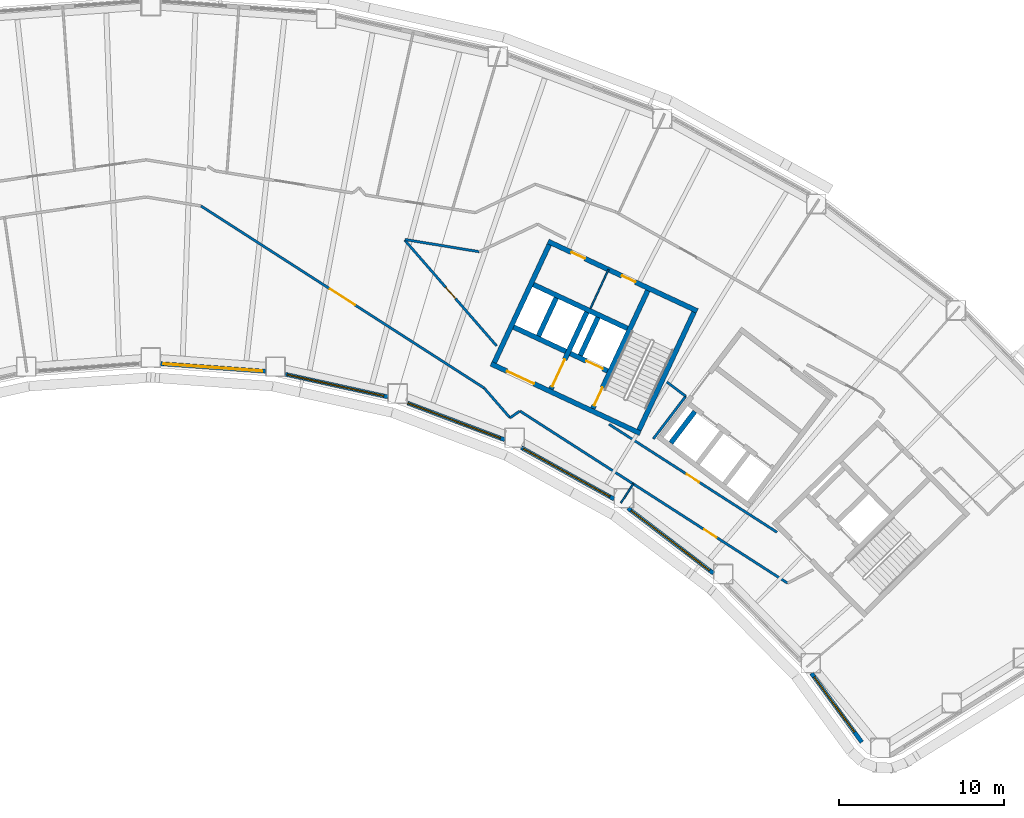
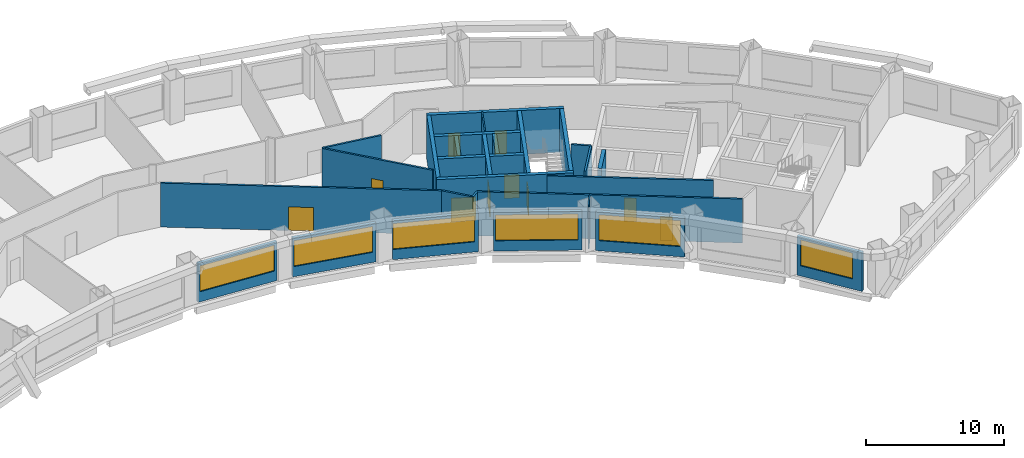
# One storey, part 6 of 15: 29 walls, 10 doors, 6 windows, 16 openings.
"""IFC4 building model written with IfcOpenShell, lengths in metres."""

from ifc_helpers import new_model, si_unit, direction, frame, frame_2d, origin, place, context, subcontext, project, spatial, rectangle, extrude, material, layer, layer_set, type_object, element, fill, save


model = new_model("IFC4")

# Units and contexts
model_context = context("Model", 3, precision=1e-05, world=origin(), true_north=direction((0.0, 1.0)))
body_context = subcontext(model_context, "Body", "Model", "MODEL_VIEW")
ifc_project = project(units=[si_unit("LENGTHUNIT", "METRE"), si_unit("AREAUNIT", "SQUARE_METRE"), si_unit("VOLUMEUNIT", "CUBIC_METRE"), si_unit("PLANEANGLEUNIT", "RADIAN"), si_unit("MASSUNIT", "GRAM", prefix="KILO")], contexts=[model_context])

# Site, building, storey
site_placement = place(None, origin())
site = spatial("IfcSite", under=ifc_project, at=site_placement, CompositionType="ELEMENT")
building_placement = place(site_placement, origin())
building = spatial("IfcBuilding", under=site, at=building_placement, Name="Tuul Gate Civic Tower", CompositionType="ELEMENT")
storey_placement = place(building_placement, frame((0.0, 0.0, 78.0)))
storey = spatial("IfcBuildingStorey", under=building, at=storey_placement, Name="Level 17", CompositionType="ELEMENT", Elevation=78.0)

# Wall, opening, door
ifc_material_1 = material(Name="Concrete C50/60", Category="concrete")
ifc_layer_1 = layer(ifc_material_1, 0.300048828125)
ifc_layer_set_1 = layer_set([ifc_layer_1], Name="Concrete C50/60")
wall_type_1 = type_object("IfcWallType", Name="Core wall C50/60", PredefinedType="SHEAR", material=ifc_layer_set_1)
wall_1_placement = place(storey_placement, frame((34.5283203125, -7.25, 0.0), z_axis=(0.0, 0.0, 1.0), x_axis=(-0.906310338845, 0.422612789327, 0.0)))
wall_1 = element("IfcWall", 1, at=wall_1_placement, inside=storey, type_object=wall_type_1, Name="Core wall", PredefinedType="SHEAR", context=body_context, shape_type="SweptSolid", body=[
    extrude(rectangle(XDim=9.999755859375, YDim=0.300048828125, at=frame_2d((5.0, 0.0))), origin(), (0.0, 0.0, 1.0), 3.89990234375),
])
opening_1_placement = place(wall_1_placement, frame((7.125, 0.0, 0.0)))
opening_1 = element("IfcOpeningElement", 2, at=opening_1_placement, cuts=wall_1, Name="Opening LB-E3-LOBBY-1", PredefinedType="OPENING", context=body_context, shape_type="SweptSolid", body=[
    extrude(rectangle(XDim=1.800048828125, YDim=2.10009765625, at=frame_2d((0.89990234375, 1.050048828125))), frame((0.0, 0.16015625, 0.0), z_axis=(0.0, -1.0, 0.0), x_axis=(1.0, 0.0, 0.0)), (0.0, 0.0, 1.0), 0.320068359375),
])
ifc_material_2 = material(Name="Steel", Category="steel")
door_type_1 = type_object("IfcDoorType", Name="Lobby door", OperationType="DOUBLE_DOOR_SINGLE_SWING", PredefinedType="DOOR", material=ifc_material_2)
door_1_placement = place(opening_1_placement, frame((1.800048828125, 0.0, 0.0), z_axis=(0.0, 0.0, 1.0), x_axis=(-1.0, 0.0, 0.0)))
door_1 = element("IfcDoor", 3, at=door_1_placement, inside=storey, type_object=door_type_1, Name="Lobby door E3-LOBBY", OperationType="DOUBLE_DOOR_SINGLE_SWING", OverallHeight=2.10009765625, OverallWidth=1.800048828125, PredefinedType="DOOR", context=body_context, shape_type="SweptSolid", body=[
    extrude(rectangle(XDim=1.800048828125, YDim=2.10009765625, at=frame_2d((0.900146484375, 1.050048828125))), frame((0.0, 0.02490234375, 0.0), z_axis=(0.0, -1.0, 0.0), x_axis=(1.0, 0.0, 0.0)), (0.0, 0.0, 1.0), 0.050048828125),
])
fill(opening_1, door_1)

wall_2_placement = place(storey_placement, frame((32.545654296875, -3.456787109375, 0.0), z_axis=(0.0, 0.0, 1.0), x_axis=(-0.906300357825, 0.42263419337, 0.0)))
wall_2 = element("IfcWall", 4, at=wall_2_placement, inside=storey, type_object=wall_type_1, Name="Core wall", PredefinedType="SHEAR", context=body_context, shape_type="SweptSolid", body=[
    extrude(rectangle(XDim=2.500244140625, YDim=0.300048828125, at=frame_2d((1.25, 0.0))), origin(), (0.0, 0.0, 1.0), 3.89990234375),
])
opening_2_placement = place(wall_2_placement, frame((0.324951171875, 0.0, 0.0)))
opening_2 = element("IfcOpeningElement", 5, at=opening_2_placement, cuts=wall_2, Name="Opening LD-FF-2", PredefinedType="OPENING", context=body_context, shape_type="SweptSolid", body=[
    extrude(rectangle(XDim=1.10009765625, YDim=2.10009765625, at=frame_2d((0.550048828125, 1.050048828125))), frame((0.0, 0.16015625, 0.0), z_axis=(0.0, -1.0, 0.0), x_axis=(1.0, 0.0, 0.0)), (0.0, 0.0, 1.0), 0.320068359375),
])
ifc_material_3 = material(Name="Stainless steel", Category="steel")
door_type_2 = type_object("IfcDoorType", Name="Landing door", OperationType="DOUBLE_DOOR_SLIDING", PredefinedType="DOOR", material=ifc_material_3)
door_2_placement = place(opening_2_placement, origin())
door_2 = element("IfcDoor", 6, at=door_2_placement, inside=storey, type_object=door_type_2, Name="Fire-fighting lift FF-2 landing door", OperationType="DOUBLE_DOOR_SLIDING", OverallHeight=2.10009765625, OverallWidth=1.10009765625, PredefinedType="DOOR", context=body_context, shape_type="SweptSolid", body=[
    extrude(rectangle(XDim=1.10009765625, YDim=2.10009765625, at=frame_2d((0.550048828125, 1.050048828125))), frame((0.0, 0.02490234375, 0.0), z_axis=(0.0, -1.0, 0.0), x_axis=(1.0, 0.0, 0.0)), (0.0, 0.0, 1.0), 0.050048828125),
])
fill(opening_2, door_2)

# Walls
wall_3_placement = place(storey_placement, frame((30.0078125, -2.2734375, 0.0), z_axis=(0.0, 0.0, 1.0), x_axis=(-0.90630071767, 0.422633421716, 0.0)))
element("IfcWall", 7, at=wall_3_placement, inside=storey, type_object=wall_type_1, Name="Core wall", PredefinedType="SHEAR", context=body_context, shape_type="SweptSolid", body=[
    extrude(rectangle(XDim=3.5, YDim=0.300048828125, at=frame_2d((1.75, 0.0))), origin(), (0.0, 0.0, 1.0), 3.89990234375),
])
wall_4_placement = place(storey_placement, frame((33.75, -0.873779296875, 0.0), z_axis=(0.0, 0.0, 1.0), x_axis=(-0.906300917592, 0.422632992999, 0.0)))
element("IfcWall", 8, at=wall_4_placement, inside=storey, type_object=wall_type_1, Name="Core wall", PredefinedType="SHEAR", context=body_context, shape_type="SweptSolid", body=[
    extrude(rectangle(XDim=6.300048828125, YDim=0.300048828125, at=frame_2d((3.14990234375, 0.0))), origin(), (0.0, 0.0, 1.0), 3.89990234375),
])

# Wall, openings, doors
wall_5_placement = place(storey_placement, frame((37.993408203125, 0.181884765625, 0.0), z_axis=(0.0, 0.0, 1.0), x_axis=(-0.906310338845, 0.422612789327, 0.0)))
wall_5 = element("IfcWall", 9, at=wall_5_placement, inside=storey, type_object=wall_type_1, Name="Core wall", PredefinedType="SHEAR", context=body_context, shape_type="SweptSolid", body=[
    extrude(rectangle(XDim=9.999755859375, YDim=0.300048828125, at=frame_2d((5.0, 0.0))), origin(), (0.0, 0.0, 1.0), 3.89990234375),
])
opening_3_placement = place(wall_5_placement, frame((4.14990234375, 0.0, 0.0)))
opening_3 = element("IfcOpeningElement", 10, at=opening_3_placement, cuts=wall_5, Name="Opening E-D41", PredefinedType="OPENING", context=body_context, shape_type="SweptSolid", body=[
    extrude(rectangle(XDim=0.89990234375, YDim=2.10009765625, at=frame_2d((0.449951171875, 1.050048828125))), frame((0.0, 0.16015625, 0.0), z_axis=(0.0, -1.0, 0.0), x_axis=(1.0, 0.0, 0.0)), (0.0, 0.0, 1.0), 0.320068359375),
])
opening_4_placement = place(wall_5_placement, frame((7.52490234375, 0.0, 0.0)))
opening_4 = element("IfcOpeningElement", 11, at=opening_4_placement, cuts=wall_5, Name="Opening E-D42", PredefinedType="OPENING", context=body_context, shape_type="SweptSolid", body=[
    extrude(rectangle(XDim=0.89990234375, YDim=2.10009765625, at=frame_2d((0.449951171875, 1.050048828125))), frame((0.0, 0.16015625, 0.0), z_axis=(0.0, -1.0, 0.0), x_axis=(1.0, 0.0, 0.0)), (0.0, 0.0, 1.0), 0.320068359375),
])
ifc_material_4 = material(Name="Timber door leaf", Category="wood")
door_type_3 = type_object("IfcDoorType", Name="Door D09", OperationType="NOTDEFINED", PredefinedType="DOOR", material=ifc_material_4)
door_3_placement = place(opening_3_placement, origin())
door_3 = element("IfcDoor", 12, at=door_3_placement, inside=storey, type_object=door_type_3, Name="Door E-D41", OperationType="SINGLE_SWING_LEFT", OverallHeight=2.10009765625, OverallWidth=0.89990234375, PredefinedType="DOOR", context=body_context, shape_type="SweptSolid", body=[
    extrude(rectangle(XDim=0.89990234375, YDim=2.10009765625, at=frame_2d((0.449951171875, 1.050048828125))), frame((0.0, 0.02490234375, 0.0), z_axis=(0.0, -1.0, 0.0), x_axis=(1.0, 0.0, 0.0)), (0.0, 0.0, 1.0), 0.050048828125),
])
fill(opening_3, door_3)
door_4_placement = place(opening_4_placement, origin())
door_4 = element("IfcDoor", 13, at=door_4_placement, inside=storey, type_object=door_type_3, Name="Door E-D42", OperationType="SINGLE_SWING_RIGHT", OverallHeight=2.10009765625, OverallWidth=0.89990234375, PredefinedType="DOOR", context=body_context, shape_type="SweptSolid", body=[
    extrude(rectangle(XDim=0.89990234375, YDim=2.10009765625, at=frame_2d((0.449951171875, 1.050048828125))), frame((0.0, 0.02490234375, 0.0), z_axis=(0.0, -1.0, 0.0), x_axis=(1.0, 0.0, 0.0)), (0.0, 0.0, 1.0), 0.050048828125),
])
fill(opening_4, door_4)

# Wall
wall_6_placement = place(storey_placement, frame((34.455810546875, -7.05078125, 0.0), z_axis=(0.0, 0.0, 1.0), x_axis=(0.422570768258, 0.906329932096, 0.0)))
element("IfcWall", 14, at=wall_6_placement, inside=storey, type_object=wall_type_1, Name="Core wall", PredefinedType="SHEAR", context=body_context, shape_type="SweptSolid", body=[
    extrude(rectangle(XDim=7.900146484375, YDim=0.300048828125, at=frame_2d((3.9501953125, 0.0))), origin(), (0.0, 0.0, 1.0), 3.89990234375),
])

# Wall, opening, door
wall_7_placement = place(storey_placement, frame((31.646240234375, -5.740478515625, 0.0), z_axis=(0.0, 0.0, 1.0), x_axis=(0.422582604137, 0.906324413596, 0.0)))
wall_7 = element("IfcWall", 15, at=wall_7_placement, inside=storey, type_object=wall_type_1, Name="Core wall", PredefinedType="SHEAR", context=body_context, shape_type="SweptSolid", body=[
    extrude(rectangle(XDim=7.89990234375, YDim=0.300048828125, at=frame_2d((3.949951171875, 0.0))), origin(), (0.0, 0.0, 1.0), 3.89990234375),
])
opening_5_placement = place(wall_7_placement, frame((0.199951171875, 0.0, 0.0)))
opening_5 = element("IfcOpeningElement", 16, at=opening_5_placement, cuts=wall_7, Name="Opening SD-ST-4", PredefinedType="OPENING", context=body_context, shape_type="SweptSolid", body=[
    extrude(rectangle(XDim=1.199951171875, YDim=2.10009765625, at=frame_2d((0.60009765625, 1.050048828125))), frame((0.0, 0.16015625, 0.0), z_axis=(0.0, -1.0, 0.0), x_axis=(1.0, 0.0, 0.0)), (0.0, 0.0, 1.0), 0.320068359375),
])
ifc_material_5 = material(Name="Steel", Category="steel")
door_type_4 = type_object("IfcDoorType", Name="Stair door", OperationType="NOTDEFINED", PredefinedType="DOOR", material=ifc_material_5)
door_5_placement = place(opening_5_placement, origin())
door_5 = element("IfcDoor", 17, at=door_5_placement, inside=storey, type_object=door_type_4, Name="Stair door ST-4", OperationType="SINGLE_SWING_LEFT", OverallHeight=2.10009765625, OverallWidth=1.199951171875, PredefinedType="DOOR", context=body_context, shape_type="SweptSolid", body=[
    extrude(rectangle(XDim=1.199951171875, YDim=2.10009765625, at=frame_2d((0.60009765625, 1.050048828125))), frame((0.0, 0.02490234375, 0.0), z_axis=(0.0, -1.0, 0.0), x_axis=(1.0, 0.0, 0.0)), (0.0, 0.0, 1.0), 0.050048828125),
])
fill(opening_5, door_5)

# Wall
wall_8_placement = place(storey_placement, frame((30.886962890625, -2.517822265625, 0.0), z_axis=(0.0, 0.0, 1.0), x_axis=(0.422612891016, 0.906310291427, 0.0)))
element("IfcWall", 18, at=wall_8_placement, inside=storey, type_object=wall_type_1, Name="Core wall", PredefinedType="SHEAR", context=body_context, shape_type="SweptSolid", body=[
    extrude(rectangle(XDim=2.550048828125, YDim=0.300048828125, at=frame_2d((1.27490234375, 0.0))), origin(), (0.0, 0.0, 1.0), 3.89990234375),
])

# Wall, opening, door
wall_9_placement = place(storey_placement, frame((29.108642578125, -4.557373046875, 0.0), z_axis=(0.0, 0.0, 1.0), x_axis=(0.422566235356, 0.90633204552, 0.0)))
wall_9 = element("IfcWall", 19, at=wall_9_placement, inside=storey, type_object=wall_type_1, Name="Core wall", PredefinedType="SHEAR", context=body_context, shape_type="SweptSolid", body=[
    extrude(rectangle(XDim=5.150146484375, YDim=0.300048828125, at=frame_2d((2.5751953125, 0.0))), origin(), (0.0, 0.0, 1.0), 3.89990234375),
])
opening_6_placement = place(wall_9_placement, frame((0.175048828125, 0.0, 0.0)))
opening_6 = element("IfcOpeningElement", 20, at=opening_6_placement, cuts=wall_9, Name="Opening LB-E3-FLOBBY-1", PredefinedType="OPENING", context=body_context, shape_type="SweptSolid", body=[
    extrude(rectangle(XDim=1.800048828125, YDim=2.10009765625, at=frame_2d((0.89990234375, 1.050048828125))), frame((0.0, 0.16015625, 0.0), z_axis=(0.0, -1.0, 0.0), x_axis=(1.0, 0.0, 0.0)), (0.0, 0.0, 1.0), 0.320068359375),
])
door_6_placement = place(opening_6_placement, frame((1.800048828125, 0.0, 0.0), z_axis=(0.0, 0.0, 1.0), x_axis=(-1.0, 0.0, 0.0)))
door_6 = element("IfcDoor", 21, at=door_6_placement, inside=storey, type_object=door_type_1, Name="Lobby door E3-FLOBBY", OperationType="DOUBLE_DOOR_SINGLE_SWING", OverallHeight=2.10009765625, OverallWidth=1.800048828125, PredefinedType="DOOR", context=body_context, shape_type="SweptSolid", body=[
    extrude(rectangle(XDim=1.800048828125, YDim=2.10009765625, at=frame_2d((0.900146484375, 1.050048828125))), frame((0.0, 0.02490234375, 0.0), z_axis=(0.0, -1.0, 0.0), x_axis=(1.0, 0.0, 0.0)), (0.0, 0.0, 1.0), 0.050048828125),
])
fill(opening_6, door_6)

# Walls
wall_10_placement = place(storey_placement, frame((28.349365234375, -1.33447265625, 0.0), z_axis=(0.0, 0.0, 1.0), x_axis=(0.422612891016, 0.906310291427, 0.0)))
element("IfcWall", 22, at=wall_10_placement, inside=storey, type_object=wall_type_1, Name="Core wall", PredefinedType="SHEAR", context=body_context, shape_type="SweptSolid", body=[
    extrude(rectangle(XDim=2.550048828125, YDim=0.300048828125, at=frame_2d((1.27490234375, 0.0))), origin(), (0.0, 0.0, 1.0), 3.89990234375),
])
wall_11_placement = place(storey_placement, frame((25.66455078125, -2.951416015625, 0.0), z_axis=(0.0, 0.0, 1.0), x_axis=(0.422582604137, 0.906324413596, 0.0)))
element("IfcWall", 23, at=wall_11_placement, inside=storey, type_object=wall_type_1, Name="Core wall", PredefinedType="SHEAR", context=body_context, shape_type="SweptSolid", body=[
    extrude(rectangle(XDim=7.89990234375, YDim=0.300048828125, at=frame_2d((3.949951171875, 0.0))), origin(), (0.0, 0.0, 1.0), 3.89990234375),
])

# Wall, opening, door
ifc_material_6 = material(Name="Gypsum board partition")
ifc_layer_2 = layer(ifc_material_6, 0.14990234375)
ifc_layer_set_2 = layer_set([ifc_layer_2], Name="Gypsum board partition")
wall_type_2 = type_object("IfcWallType", Name="Corridor wall P150", PredefinedType="PARTITIONING", material=ifc_layer_set_2)
wall_12_placement = place(storey_placement, frame((20.222412109375, 4.488037109375, 0.0), z_axis=(0.0, 0.0, 1.0), x_axis=(0.655887554702, -0.754858606354, 0.0)))
wall_12 = element("IfcWall", 24, at=wall_12_placement, inside=storey, type_object=wall_type_2, Name="p021", PredefinedType="PARTITIONING", context=body_context, shape_type="SweptSolid", body=[
    extrude(rectangle(XDim=8.512939453125, YDim=0.14990234375, at=frame_2d((4.25634765625, 0.0))), origin(), (0.0, 0.0, 1.0), 3.89990234375),
])
opening_7_placement = place(wall_12_placement, frame((3.806396484375, 0.0, 0.0)))
opening_7 = element("IfcOpeningElement", 25, at=opening_7_placement, cuts=wall_12, Name="Opening E-D21", PredefinedType="OPENING", context=body_context, shape_type="SweptSolid", body=[
    extrude(rectangle(XDim=0.89990234375, YDim=2.10009765625, at=frame_2d((0.449951171875, 1.050048828125))), frame((0.0, 0.0849609375, 0.0), z_axis=(0.0, -1.0, 0.0), x_axis=(1.0, 0.0, 0.0)), (0.0, 0.0, 1.0), 0.169921875),
])
door_7_placement = place(opening_7_placement, origin())
door_7 = element("IfcDoor", 26, at=door_7_placement, inside=storey, type_object=door_type_3, Name="Door E-D21", OperationType="SINGLE_SWING_RIGHT", OverallHeight=2.10009765625, OverallWidth=0.89990234375, PredefinedType="DOOR", context=body_context, shape_type="SweptSolid", body=[
    extrude(rectangle(XDim=0.89990234375, YDim=2.10009765625, at=frame_2d((0.449951171875, 1.050048828125))), frame((0.0, 0.02490234375, 0.0), z_axis=(0.0, -1.0, 0.0), x_axis=(1.0, 0.0, 0.0)), (0.0, 0.0, 1.0), 0.050048828125),
])
fill(opening_7, door_7)

wall_13_placement = place(storey_placement, frame((32.630615234375, -6.6962890625, 0.0), z_axis=(0.0, 0.0, 1.0), x_axis=(0.84117062622, -0.540769800917, 0.0)))
wall_13 = element("IfcWall", 27, at=wall_13_placement, inside=storey, type_object=wall_type_2, Name="p025", PredefinedType="PARTITIONING", context=body_context, shape_type="SweptSolid", body=[
    extrude(rectangle(XDim=12.12744140625, YDim=0.14990234375, at=frame_2d((6.063720703125, 0.0))), origin(), (0.0, 0.0, 1.0), 3.89990234375),
])
opening_8_placement = place(wall_13_placement, frame((5.61376953125, 0.0, 0.0)))
opening_8 = element("IfcOpeningElement", 28, at=opening_8_placement, cuts=wall_13, Name="Opening E-D20", PredefinedType="OPENING", context=body_context, shape_type="SweptSolid", body=[
    extrude(rectangle(XDim=0.89990234375, YDim=2.10009765625, at=frame_2d((0.449951171875, 1.050048828125))), frame((0.0, 0.0849609375, 0.0), z_axis=(0.0, -1.0, 0.0), x_axis=(1.0, 0.0, 0.0)), (0.0, 0.0, 1.0), 0.169921875),
])
door_8_placement = place(opening_8_placement, frame((0.89990234375, 0.0, 0.0), z_axis=(0.0, 0.0, 1.0), x_axis=(-1.0, 0.0, 0.0)))
door_8 = element("IfcDoor", 29, at=door_8_placement, inside=storey, type_object=door_type_3, Name="Door E-D20", OperationType="SINGLE_SWING_LEFT", OverallHeight=2.10009765625, OverallWidth=0.89990234375, PredefinedType="DOOR", context=body_context, shape_type="SweptSolid", body=[
    extrude(rectangle(XDim=0.89990234375, YDim=2.10009765625, at=frame_2d((0.449951171875, 1.050048828125))), frame((0.0, 0.02490234375, 0.0), z_axis=(0.0, -1.0, 0.0), x_axis=(1.0, 0.0, 0.0)), (0.0, 0.0, 1.0), 0.050048828125),
])
fill(opening_8, door_8)

wall_14_placement = place(storey_placement, frame((7.852294921875, 6.55859375, 0.0), z_axis=(0.0, 0.0, 1.0), x_axis=(0.841168773291, -0.540772683149, 0.0)))
wall_14 = element("IfcWall", 30, at=wall_14_placement, inside=storey, type_object=wall_type_2, Name="p044", PredefinedType="PARTITIONING", context=body_context, shape_type="SweptSolid", body=[
    extrude(rectangle(XDim=20.440185546875, YDim=0.14990234375, at=frame_2d((10.22021484375, 0.0))), origin(), (0.0, 0.0, 1.0), 3.89990234375),
])
opening_9_placement = place(wall_14_placement, frame((9.320068359375, 0.0, 0.0)))
opening_9 = element("IfcOpeningElement", 31, at=opening_9_placement, cuts=wall_14, Name="Opening E-D16", PredefinedType="OPENING", context=body_context, shape_type="SweptSolid", body=[
    extrude(rectangle(XDim=1.800048828125, YDim=2.10009765625, at=frame_2d((0.89990234375, 1.050048828125))), frame((0.0, 0.0849609375, 0.0), z_axis=(0.0, -1.0, 0.0), x_axis=(1.0, 0.0, 0.0)), (0.0, 0.0, 1.0), 0.169921875),
])
ifc_material_7 = material(Name="Timber door leaf, double", Category="wood")
door_type_5 = type_object("IfcDoorType", Name="Door D18", OperationType="DOUBLE_DOOR_SINGLE_SWING", PredefinedType="DOOR", material=ifc_material_7)
door_9_placement = place(opening_9_placement, frame((1.800048828125, 0.0, 0.0), z_axis=(0.0, 0.0, 1.0), x_axis=(-1.0, 0.0, 0.0)))
door_9 = element("IfcDoor", 32, at=door_9_placement, inside=storey, type_object=door_type_5, Name="Door E-D16", OperationType="DOUBLE_DOOR_SINGLE_SWING", OverallHeight=2.10009765625, OverallWidth=1.800048828125, PredefinedType="DOOR", context=body_context, shape_type="SweptSolid", body=[
    extrude(rectangle(XDim=1.800048828125, YDim=2.10009765625, at=frame_2d((0.900146484375, 1.050048828125))), frame((0.0, 0.02490234375, 0.0), z_axis=(0.0, -1.0, 0.0), x_axis=(1.0, 0.0, 0.0)), (0.0, 0.0, 1.0), 0.050048828125),
])
fill(opening_9, door_9)

wall_15_placement = place(storey_placement, frame((27.230712890625, -5.899658203125, 0.0), z_axis=(0.0, 0.0, 1.0), x_axis=(0.841168620233, -0.540772921229, 0.0)))
wall_15 = element("IfcWall", 33, at=wall_15_placement, inside=storey, type_object=wall_type_2, Name="p045", PredefinedType="PARTITIONING", context=body_context, shape_type="SweptSolid", body=[
    extrude(rectangle(XDim=19.31787109375, YDim=0.14990234375, at=frame_2d((9.658935546875, 0.0))), origin(), (0.0, 0.0, 1.0), 3.89990234375),
])
opening_10_placement = place(wall_15_placement, frame((13.29638671875, 0.0, 0.0)))
opening_10 = element("IfcOpeningElement", 34, at=opening_10_placement, cuts=wall_15, Name="Opening E-D15", PredefinedType="OPENING", context=body_context, shape_type="SweptSolid", body=[
    extrude(rectangle(XDim=0.89990234375, YDim=2.10009765625, at=frame_2d((0.449951171875, 1.050048828125))), frame((0.0, 0.0849609375, 0.0), z_axis=(0.0, -1.0, 0.0), x_axis=(1.0, 0.0, 0.0)), (0.0, 0.0, 1.0), 0.169921875),
])
door_10_placement = place(opening_10_placement, frame((0.89990234375, 0.0, 0.0), z_axis=(0.0, 0.0, 1.0), x_axis=(-1.0, 0.0, 0.0)))
door_10 = element("IfcDoor", 35, at=door_10_placement, inside=storey, type_object=door_type_3, Name="Door E-D15", OperationType="SINGLE_SWING_LEFT", OverallHeight=2.10009765625, OverallWidth=0.89990234375, PredefinedType="DOOR", context=body_context, shape_type="SweptSolid", body=[
    extrude(rectangle(XDim=0.89990234375, YDim=2.10009765625, at=frame_2d((0.449951171875, 1.050048828125))), frame((0.0, 0.02490234375, 0.0), z_axis=(0.0, -1.0, 0.0), x_axis=(1.0, 0.0, 0.0)), (0.0, 0.0, 1.0), 0.050048828125),
])
fill(opening_10, door_10)

# Walls
wall_16_placement = place(storey_placement, frame((20.240966796875, 4.5224609375, 0.0), z_axis=(0.0, 0.0, 1.0), x_axis=(0.98673971017, -0.162310641588, 0.0)))
element("IfcWall", 36, at=wall_16_placement, inside=storey, type_object=wall_type_2, Name="p049", PredefinedType="PARTITIONING", context=body_context, shape_type="SweptSolid", body=[
    extrude(rectangle(XDim=4.569580078125, YDim=0.14990234375, at=frame_2d((2.28466796875, 0.0))), origin(), (0.0, 0.0, 1.0), 3.89990234375),
])
wall_17_placement = place(storey_placement, frame((25.0458984375, -4.494873046875, 0.0), z_axis=(0.0, 0.0, 1.0), x_axis=(0.656125849695, -0.754651488677, 0.0)))
element("IfcWall", 37, at=wall_17_placement, inside=storey, type_object=wall_type_2, Name="p050", PredefinedType="PARTITIONING", context=body_context, shape_type="SweptSolid", body=[
    extrude(rectangle(XDim=2.401123046875, YDim=0.14990234375, at=frame_2d((1.20068359375, 0.0))), origin(), (0.0, 0.0, 1.0), 3.89990234375),
])
wall_18_placement = place(storey_placement, frame((26.621337890625, -6.306884765625, 0.0), z_axis=(0.0, 0.0, 1.0), x_axis=(0.823443798686, 0.567397841383, 0.0)))
element("IfcWall", 38, at=wall_18_placement, inside=storey, type_object=wall_type_2, Name="p051", PredefinedType="PARTITIONING", context=body_context, shape_type="SweptSolid", body=[
    extrude(rectangle(XDim=0.715087890625, YDim=0.14990234375, at=frame_2d((0.357421875, 0.0))), origin(), (0.0, 0.0, 1.0), 3.89990234375),
])
wall_19_placement = place(storey_placement, frame((36.147705078125, -4.13330078125, 0.0), z_axis=(0.0, 0.0, 1.0), x_axis=(0.798976694108, -0.601361989382, 0.0)))
element("IfcWall", 39, at=wall_19_placement, inside=storey, type_object=wall_type_2, Name="p058", PredefinedType="PARTITIONING", context=body_context, shape_type="SweptSolid", body=[
    extrude(rectangle(XDim=1.43310546875, YDim=0.14990234375, at=frame_2d((0.716552734375, 0.0))), origin(), (0.0, 0.0, 1.0), 3.89990234375),
])
wall_20_placement = place(storey_placement, frame((35.32177734375, -7.58447265625, 0.0), z_axis=(0.0, 0.0, 1.0), x_axis=(0.605733537109, 0.795667570045, 0.0)))
element("IfcWall", 40, at=wall_20_placement, inside=storey, type_object=wall_type_2, Name="p059", PredefinedType="PARTITIONING", context=body_context, shape_type="SweptSolid", body=[
    extrude(rectangle(XDim=3.254638671875, YDim=0.14990234375, at=frame_2d((1.62744140625, 0.0))), origin(), (0.0, 0.0, 1.0), 3.89990234375),
])

# Wall, opening, window
ifc_material_8 = material(Name="Precast concrete C40/50", Category="concrete")
ifc_layer_3 = layer(ifc_material_8, 0.25)
ifc_layer_set_3 = layer_set([ifc_layer_3], Name="Precast concrete C40/50")
wall_type_3 = type_object("IfcWallType", Name="External wall", PredefinedType="STANDARD", material=ifc_layer_set_3)
wall_21_placement = place(storey_placement, frame((5.407958984375, -3.01806640625, 0.0), z_axis=(0.0, 0.0, 1.0), x_axis=(0.997382879348, -0.072300705277, 0.0)))
wall_21 = element("IfcWall", 41, at=wall_21_placement, inside=storey, type_object=wall_type_3, Name="External wall", PredefinedType="STANDARD", context=body_context, shape_type="SweptSolid", body=[
    extrude(rectangle(XDim=6.388671875, YDim=0.25, at=frame_2d((3.1943359375, 0.0))), origin(), (0.0, 0.0, 1.0), 3.449951171875),
])
opening_11_placement = place(wall_21_placement, frame((0.1708984375, 0.0, 0.89990234375)))
opening_11 = element("IfcOpeningElement", 42, at=opening_11_placement, cuts=wall_21, Name="Opening W26", PredefinedType="OPENING", context=body_context, shape_type="SweptSolid", body=[
    extrude(rectangle(XDim=6.0, YDim=2.300048828125, at=frame_2d((3.0, 1.14990234375))), frame((0.0, 0.135009765625, 0.0), z_axis=(0.0, -1.0, 0.0), x_axis=(1.0, 0.0, 0.0)), (0.0, 0.0, 1.0), 0.27001953125),
])
ifc_material_9 = material(Name="Glass", Category="glass")
window_type_1 = type_object("IfcWindowType", Name="Window W26 6000 x 2300", PartitioningType="SINGLE_PANEL", PredefinedType="WINDOW", material=ifc_material_9)
window_1_placement = place(opening_11_placement, origin())
window_1 = element("IfcWindow", 43, at=window_1_placement, inside=storey, type_object=window_type_1, Name="Window", OverallHeight=2.300048828125, OverallWidth=6.0, PartitioningType="SINGLE_PANEL", PredefinedType="WINDOW", context=body_context, shape_type="SweptSolid", body=[
    extrude(rectangle(XDim=6.0, YDim=2.300048828125, at=frame_2d((3.0, 1.14990234375))), frame((0.0, 0.030029296875, 0.0), z_axis=(0.0, -1.0, 0.0), x_axis=(1.0, 0.0, 0.0)), (0.0, 0.0, 1.0), 0.06005859375),
])
fill(opening_11, window_1)

wall_22_placement = place(storey_placement, frame((12.97998046875, -3.66259765625, 0.0), z_axis=(0.0, 0.0, 1.0), x_axis=(0.97656114485, -0.215240169041, 0.0)))
wall_22 = element("IfcWall", 44, at=wall_22_placement, inside=storey, type_object=wall_type_3, Name="External wall", PredefinedType="STANDARD", context=body_context, shape_type="SweptSolid", body=[
    extrude(rectangle(XDim=6.36328125, YDim=0.25, at=frame_2d((3.181640625, 0.0))), origin(), (0.0, 0.0, 1.0), 3.449951171875),
])
opening_12_placement = place(wall_22_placement, frame((0.10986328125, 0.0, 0.89990234375)))
opening_12 = element("IfcOpeningElement", 45, at=opening_12_placement, cuts=wall_22, Name="Opening W26", PredefinedType="OPENING", context=body_context, shape_type="SweptSolid", body=[
    extrude(rectangle(XDim=6.0, YDim=2.300048828125, at=frame_2d((3.0, 1.14990234375))), frame((0.0, 0.135009765625, 0.0), z_axis=(0.0, -1.0, 0.0), x_axis=(1.0, 0.0, 0.0)), (0.0, 0.0, 1.0), 0.27001953125),
])
window_2_placement = place(opening_12_placement, origin())
window_2 = element("IfcWindow", 46, at=window_2_placement, inside=storey, type_object=window_type_1, Name="Window", OverallHeight=2.300048828125, OverallWidth=6.0, PartitioningType="SINGLE_PANEL", PredefinedType="WINDOW", context=body_context, shape_type="SweptSolid", body=[
    extrude(rectangle(XDim=6.0, YDim=2.300048828125, at=frame_2d((3.0, 1.14990234375))), frame((0.0, 0.030029296875, 0.0), z_axis=(0.0, -1.0, 0.0), x_axis=(1.0, 0.0, 0.0)), (0.0, 0.0, 1.0), 0.06005859375),
])
fill(opening_12, window_2)

wall_23_placement = place(storey_placement, frame((20.39404296875, -5.406005859375, 0.0), z_axis=(0.0, 0.0, 1.0), x_axis=(0.935355477431, -0.353709104829, 0.0)))
wall_23 = element("IfcWall", 47, at=wall_23_placement, inside=storey, type_object=wall_type_3, Name="External wall", PredefinedType="STANDARD", context=body_context, shape_type="SweptSolid", body=[
    extrude(rectangle(XDim=6.30859375, YDim=0.25, at=frame_2d((3.154296875, 0.0))), origin(), (0.0, 0.0, 1.0), 3.449951171875),
])
opening_13_placement = place(wall_23_placement, frame((0.03125, 0.0, 0.89990234375)))
opening_13 = element("IfcOpeningElement", 48, at=opening_13_placement, cuts=wall_23, Name="Opening W26", PredefinedType="OPENING", context=body_context, shape_type="SweptSolid", body=[
    extrude(rectangle(XDim=6.0, YDim=2.300048828125, at=frame_2d((3.0, 1.14990234375))), frame((0.0, 0.135009765625, 0.0), z_axis=(0.0, -1.0, 0.0), x_axis=(1.0, 0.0, 0.0)), (0.0, 0.0, 1.0), 0.27001953125),
])
window_3_placement = place(opening_13_placement, origin())
window_3 = element("IfcWindow", 49, at=window_3_placement, inside=storey, type_object=window_type_1, Name="Window", OverallHeight=2.300048828125, OverallWidth=6.0, PartitioningType="SINGLE_PANEL", PredefinedType="WINDOW", context=body_context, shape_type="SweptSolid", body=[
    extrude(rectangle(XDim=6.0, YDim=2.300048828125, at=frame_2d((3.0, 1.14990234375))), frame((0.0, 0.030029296875, 0.0), z_axis=(0.0, -1.0, 0.0), x_axis=(1.0, 0.0, 0.0)), (0.0, 0.0, 1.0), 0.06005859375),
])
fill(opening_13, window_3)

wall_24_placement = place(storey_placement, frame((27.307373046875, -8.116943359375, 0.0), z_axis=(0.0, 0.0, 1.0), x_axis=(0.874625787744, -0.484798650384, 0.0)))
wall_24 = element("IfcWall", 50, at=wall_24_placement, inside=storey, type_object=wall_type_3, Name="External wall", PredefinedType="STANDARD", context=body_context, shape_type="SweptSolid", body=[
    extrude(rectangle(XDim=6.434326171875, YDim=0.25, at=frame_2d((3.21728515625, 0.0))), origin(), (0.0, 0.0, 1.0), 3.449951171875),
])
opening_14_placement = place(wall_24_placement, frame((0.143798828125, 0.0, 0.89990234375)))
opening_14 = element("IfcOpeningElement", 51, at=opening_14_placement, cuts=wall_24, Name="Opening W26", PredefinedType="OPENING", context=body_context, shape_type="SweptSolid", body=[
    extrude(rectangle(XDim=6.0, YDim=2.300048828125, at=frame_2d((3.0, 1.14990234375))), frame((0.0, 0.135009765625, 0.0), z_axis=(0.0, -1.0, 0.0), x_axis=(1.0, 0.0, 0.0)), (0.0, 0.0, 1.0), 0.27001953125),
])
window_4_placement = place(opening_14_placement, origin())
window_4 = element("IfcWindow", 52, at=window_4_placement, inside=storey, type_object=window_type_1, Name="Window", OverallHeight=2.300048828125, OverallWidth=6.0, PartitioningType="SINGLE_PANEL", PredefinedType="WINDOW", context=body_context, shape_type="SweptSolid", body=[
    extrude(rectangle(XDim=6.0, YDim=2.300048828125, at=frame_2d((3.0, 1.14990234375))), frame((0.0, 0.030029296875, 0.0), z_axis=(0.0, -1.0, 0.0), x_axis=(1.0, 0.0, 0.0)), (0.0, 0.0, 1.0), 0.06005859375),
])
fill(opening_14, window_4)

wall_25_placement = place(storey_placement, frame((33.785888671875, -11.797119140625, 0.0), z_axis=(0.0, 0.0, 1.0), x_axis=(0.795581202254, -0.605846969639, 0.0)))
wall_25 = element("IfcWall", 53, at=wall_25_placement, inside=storey, type_object=wall_type_3, Name="External wall", PredefinedType="STANDARD", context=body_context, shape_type="SweptSolid", body=[
    extrude(rectangle(XDim=6.5224609375, YDim=0.25, at=frame_2d((3.26123046875, 0.0))), origin(), (0.0, 0.0, 1.0), 3.449951171875),
])
opening_15_placement = place(wall_25_placement, frame((0.232666015625, 0.0, 0.89990234375)))
opening_15 = element("IfcOpeningElement", 54, at=opening_15_placement, cuts=wall_25, Name="Opening W26", PredefinedType="OPENING", context=body_context, shape_type="SweptSolid", body=[
    extrude(rectangle(XDim=6.0, YDim=2.300048828125, at=frame_2d((3.0, 1.14990234375))), frame((0.0, 0.135009765625, 0.0), z_axis=(0.0, -1.0, 0.0), x_axis=(1.0, 0.0, 0.0)), (0.0, 0.0, 1.0), 0.27001953125),
])
window_5_placement = place(opening_15_placement, origin())
window_5 = element("IfcWindow", 55, at=window_5_placement, inside=storey, type_object=window_type_1, Name="Window", OverallHeight=2.300048828125, OverallWidth=6.0, PartitioningType="SINGLE_PANEL", PredefinedType="WINDOW", context=body_context, shape_type="SweptSolid", body=[
    extrude(rectangle(XDim=6.0, YDim=2.300048828125, at=frame_2d((3.0, 1.14990234375))), frame((0.0, 0.030029296875, 0.0), z_axis=(0.0, -1.0, 0.0), x_axis=(1.0, 0.0, 0.0)), (0.0, 0.0, 1.0), 0.06005859375),
])
fill(opening_15, window_5)

wall_26_placement = place(storey_placement, frame((44.925537109375, -21.818115234375, 0.0), z_axis=(0.0, 0.0, 1.0), x_axis=(0.589865366451, -0.807501609572, 0.0)))
wall_26 = element("IfcWall", 56, at=wall_26_placement, inside=storey, type_object=wall_type_3, Name="External wall", PredefinedType="STANDARD", context=body_context, shape_type="SweptSolid", body=[
    extrude(rectangle(XDim=5.181396484375, YDim=0.25, at=frame_2d((2.5908203125, 0.0))), origin(), (0.0, 0.0, 1.0), 3.449951171875),
])
opening_16_placement = place(wall_26_placement, frame((0.27880859375, 0.0, 0.89990234375)))
opening_16 = element("IfcOpeningElement", 57, at=opening_16_placement, cuts=wall_26, Name="Opening W25", PredefinedType="OPENING", context=body_context, shape_type="SweptSolid", body=[
    extrude(rectangle(XDim=4.14990234375, YDim=2.300048828125, at=frame_2d((2.074951171875, 1.14990234375))), frame((0.0, 0.135009765625, 0.0), z_axis=(0.0, -1.0, 0.0), x_axis=(1.0, 0.0, 0.0)), (0.0, 0.0, 1.0), 0.27001953125),
])
ifc_material_10 = material(Name="Glass", Category="glass")
window_type_2 = type_object("IfcWindowType", Name="Window W25 4150 x 2300", PartitioningType="SINGLE_PANEL", PredefinedType="WINDOW", material=ifc_material_10)
window_6_placement = place(opening_16_placement, origin())
window_6 = element("IfcWindow", 58, at=window_6_placement, inside=storey, type_object=window_type_2, Name="Window", OverallHeight=2.300048828125, OverallWidth=4.14990234375, PartitioningType="SINGLE_PANEL", PredefinedType="WINDOW", context=body_context, shape_type="SweptSolid", body=[
    extrude(rectangle(XDim=4.14990234375, YDim=2.300048828125, at=frame_2d((2.074951171875, 1.14990234375))), frame((0.0, 0.030029296875, 0.0), z_axis=(0.0, -1.0, 0.0), x_axis=(1.0, 0.0, 0.0)), (0.0, 0.0, 1.0), 0.06005859375),
])
fill(opening_16, window_6)

# Walls
ifc_material_11 = material(Name="Concrete C40/50", Category="concrete")
ifc_layer_4 = layer(ifc_material_11, 0.300048828125)
ifc_layer_set_4 = layer_set([ifc_layer_4], Name="Concrete C40/50")
wall_type_4 = type_object("IfcWallType", Name="Lift shaft wall C40/50", PredefinedType="STANDARD", material=ifc_layer_set_4)
wall_27_placement = place(storey_placement, frame((36.389892578125, -7.832275390625, 0.0), z_axis=(0.0, 0.0, 1.0), x_axis=(0.605745892068, 0.79565816419, 0.0)))
element("IfcWall", 59, at=wall_27_placement, inside=storey, type_object=wall_type_4, Name="Shaft wall", PredefinedType="STANDARD", context=body_context, shape_type="SweptSolid", body=[
    extrude(rectangle(XDim=2.400146484375, YDim=0.300048828125, at=frame_2d((1.2001953125, 0.0))), origin(), (0.0, 0.0, 1.0), 3.89990234375),
])
ifc_material_12 = material(Name="Gypsum board partition")
ifc_layer_5 = layer(ifc_material_12, 0.10009765625)
ifc_layer_set_5 = layer_set([ifc_layer_5], Name="Gypsum board partition")
wall_type_5 = type_object("IfcWallType", Name="Partition P100", PredefinedType="PARTITIONING", material=ifc_layer_set_5)
wall_28_placement = place(storey_placement, frame((33.35400390625, -11.474365234375, 0.0), z_axis=(0.0, 0.0, 1.0), x_axis=(0.546743275898, 0.837300298734, 0.0)))
element("IfcWall", 60, at=wall_28_placement, inside=storey, type_object=wall_type_5, Name="p008", PredefinedType="PARTITIONING", context=body_context, shape_type="SweptSolid", body=[
    extrude(rectangle(XDim=1.3779296875, YDim=0.10009765625, at=frame_2d((0.68896484375, 0.0))), origin(), (0.0, 0.0, 1.0), 3.89990234375),
])
wall_29_placement = place(storey_placement, frame((31.502197265625, 0.33984375, 0.0), z_axis=(0.0, 0.0, 1.0), x_axis=(0.422556439746, 0.906336612539, 0.0)))
element("IfcWall", 61, at=wall_29_placement, inside=storey, type_object=wall_type_5, Name="bE3-BAND-0", PredefinedType="PARTITIONING", context=body_context, shape_type="SweptSolid", body=[
    extrude(rectangle(XDim=2.599853515625, YDim=0.10009765625, at=frame_2d((1.2998046875, 0.0))), origin(), (0.0, 0.0, 1.0), 3.89990234375),
])

save(model, "model.ifc")
